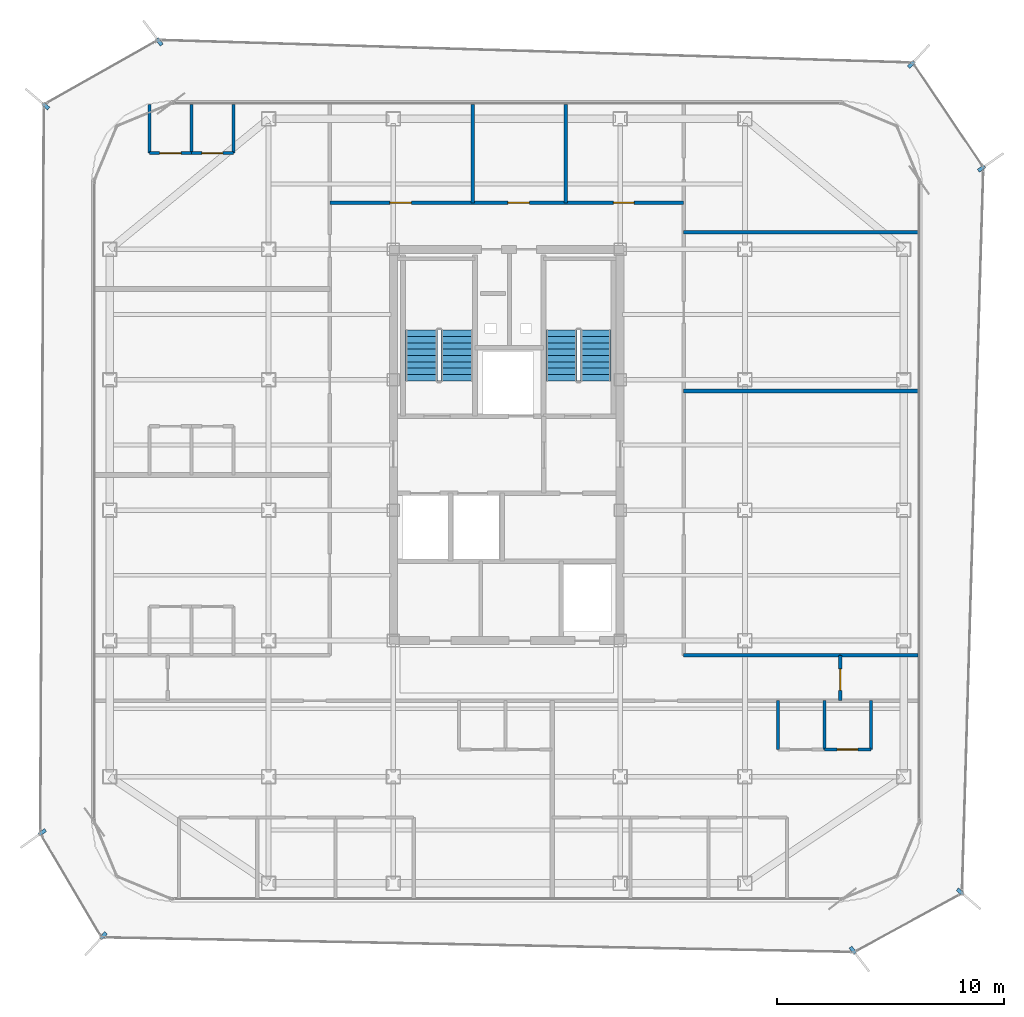
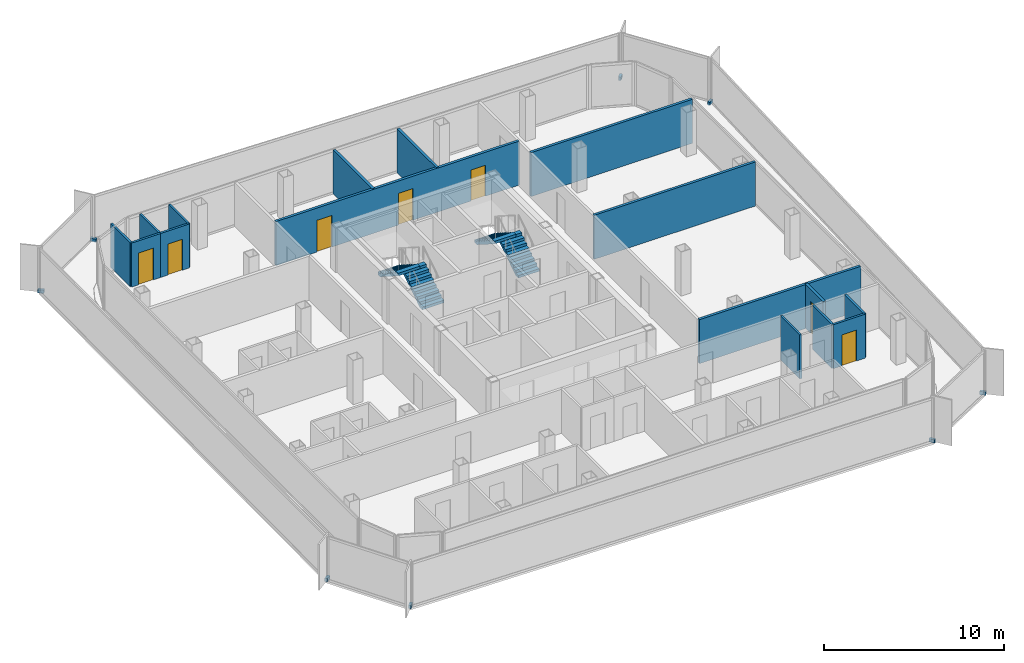
# One storey, part 12 of 15: 17 walls, 8 discrete accessories, 7 doors, 4 stair flights, 7 openings, 2 elements without a shape of their own.
"""IFC4 building model written with IfcOpenShell, lengths in metres."""

import ifcopenshell
import ifcopenshell.guid

model = None  # the IFC model being written
_history = None  # IfcOwnerHistory: only IFC2X3 demands one
_inside = {}  # id of a spatial element -> (the spatial element, [elements in it])
_under = {}  # id of a project, library or spatial element -> (it, [spatial elements below it])
_declared = {}  # id of a project -> (the project, [libraries it declares])
_typed = {}  # id of a type object -> (the type object, [elements of that type])
_made_of = {}  # id of a material, layer set ... -> (it, [elements and type objects made of it])


def new_model(schema):
    """Start an empty IFC model of exactly this schema.

    Asked for "IFC4X3", IfcOpenShell would pick the latest addendum, in which some entities
    have other attributes; the version numbers below select the first issue.
    IFC2X3 requires an IfcOwnerHistory on every rooted entity: one is made here for all.
    """
    global model, _history
    if schema == "IFC4X3":
        model = ifcopenshell.file(schema_version=(4, 3, 0, 0))
    else:
        model = ifcopenshell.file(schema=schema)
    _inside.clear()
    _under.clear()
    _declared.clear()
    _typed.clear()
    _made_of.clear()
    _history = None
    if model.schema == "IFC2X3":
        org = make("IfcOrganization", Name="unknown")
        user = make(
            "IfcPersonAndOrganization",
            ThePerson=make("IfcPerson", FamilyName="unknown"),
            TheOrganization=org,
        )
        app = make(
            "IfcApplication",
            ApplicationDeveloper=org,
            Version="unknown",
            ApplicationFullName="unknown",
            ApplicationIdentifier="unknown",
        )
        _history = make(
            "IfcOwnerHistory",
            OwningUser=user,
            OwningApplication=app,
            ChangeAction="ADDED",
            CreationDate=0,
        )
    return model


def make(cls, **values):
    """One entity of the class cls with the attributes given. An attribute that is None is left unset."""
    return model.create_entity(
        cls, **{name: value for name, value in values.items() if value is not None}
    )


def rooted(cls, **values):
    """An entity with a GlobalId (a new one), such as an element, a storey or a relation."""
    return make(cls, GlobalId=ifcopenshell.guid.new(), OwnerHistory=_history, **values)


def si_unit(unit_type, name, prefix=None):
    """IfcSIUnit, for example si_unit("LENGTHUNIT", "METRE", prefix="MILLI")."""
    return make("IfcSIUnit", UnitType=unit_type, Prefix=prefix, Name=name)


def assignment(units):
    """IfcUnitAssignment: the units of a project."""
    return None if units is None else make("IfcUnitAssignment", Units=units)


def point(xyz):
    """IfcCartesianPoint."""
    return None if xyz is None else make("IfcCartesianPoint", Coordinates=xyz)


def direction(xyz):
    """IfcDirection."""
    return None if xyz is None else make("IfcDirection", DirectionRatios=xyz)


def frame(location, z_axis=None, x_axis=None):
    """IfcAxis2Placement3D, a coordinate frame: its origin and axes. An axis left out is left unset."""
    return make(
        "IfcAxis2Placement3D",
        Location=point(location),
        Axis=direction(z_axis),
        RefDirection=direction(x_axis),
    )


def frame_2d(location, x_axis=None):
    """IfcAxis2Placement2D, a coordinate frame in the plane: its origin and x axis."""
    return make(
        "IfcAxis2Placement2D", Location=point(location), RefDirection=direction(x_axis)
    )


def origin():
    """The frame at (0, 0, 0) with its axes left unset."""
    return frame((0.0, 0.0, 0.0))


def origin_2d():
    """The frame at (0, 0) in the plane with its x axis left unset."""
    return frame_2d((0.0, 0.0))


def place(relative_to, where):
    """IfcLocalPlacement: puts the frame where relative to a parent placement (None: the world)."""
    return make(
        "IfcLocalPlacement", PlacementRelTo=relative_to, RelativePlacement=where
    )


def context(
    kind, dimensions, precision=None, world=None, true_north=None, identifier=None
):
    """IfcGeometricRepresentationContext, for example the 3D "Model" context."""
    return make(
        "IfcGeometricRepresentationContext",
        ContextIdentifier=identifier,
        ContextType=kind,
        CoordinateSpaceDimension=dimensions,
        Precision=precision,
        WorldCoordinateSystem=world,
        TrueNorth=true_north,
    )


def subcontext(parent, identifier, kind, view, scale=None):
    """IfcGeometricRepresentationSubContext, for example "Body" below "Model"."""
    return make(
        "IfcGeometricRepresentationSubContext",
        ContextIdentifier=identifier,
        ContextType=kind,
        ParentContext=parent,
        TargetScale=scale,
        TargetView=view,
    )


def project(units=None, contexts=None):
    """IfcProject with its units and contexts."""
    return rooted(
        "IfcProject",
        Name="project",
        RepresentationContexts=contexts,
        UnitsInContext=assignment(units),
    )


def spatial(cls, under=None, at=None, **own):
    """A site, building, storey or space (cls), placed at a placement, below another one or the project."""
    s = rooted(cls, ObjectPlacement=at, **own)
    if under is not None:
        _under.setdefault(under.id(), (under, []))[1].append(s)
    return s


def polyline(points):
    """IfcPolyline through the points."""
    return make("IfcPolyline", Points=[point(p) for p in points])


def profile(cls, at=None, kind="AREA", **sizes):
    """A parametric profile (cls). Its sizes go by their IFC names, for example OverallWidth=200.0."""
    return make(cls, ProfileType=kind, Position=at, **sizes)


def rectangle(**sizes):
    """IfcRectangleProfileDef."""
    return profile("IfcRectangleProfileDef", **sizes)


def outline(outer, holes=None, kind="AREA"):
    """IfcArbitraryClosedProfileDef: a profile drawn as a closed curve; with holes, ...WithVoids."""
    if holes is None:
        return make("IfcArbitraryClosedProfileDef", ProfileType=kind, OuterCurve=outer)
    return make(
        "IfcArbitraryProfileDefWithVoids",
        ProfileType=kind,
        OuterCurve=outer,
        InnerCurves=holes,
    )


def extrude(swept, where, along, depth):
    """IfcExtrudedAreaSolid: the profile swept, set in the frame where, extruded along a direction by depth."""
    return make(
        "IfcExtrudedAreaSolid",
        SweptArea=swept,
        Position=where,
        ExtrudedDirection=direction(along),
        Depth=depth,
    )


def shape(context_of_items, identifier, shape_type, items):
    """IfcShapeRepresentation: the items that make up one representation, for example the "Body"."""
    return make(
        "IfcShapeRepresentation",
        ContextOfItems=context_of_items,
        RepresentationIdentifier=identifier,
        RepresentationType=shape_type,
        Items=items,
    )


def source(mapping_origin, context_of_items, identifier, shape_type, items):
    """IfcRepresentationMap: a shape defined once, which mapped items show again and again."""
    return make(
        "IfcRepresentationMap",
        MappingOrigin=mapping_origin,
        MappedRepresentation=shape(context_of_items, identifier, shape_type, items),
    )


def transform(
    local_origin,
    x_axis=None,
    y_axis=None,
    z_axis=None,
    scale=None,
    scale2=None,
    scale3=None,
    uniform=True,
):
    """IfcCartesianTransformationOperator3D, or its non-uniform kind. x_axis, y_axis, z_axis: its Axis1, 2, 3."""
    if uniform:
        return make(
            "IfcCartesianTransformationOperator3D",
            Axis1=direction(x_axis),
            Axis2=direction(y_axis),
            LocalOrigin=point(local_origin),
            Scale=scale,
            Axis3=direction(z_axis),
        )
    return make(
        "IfcCartesianTransformationOperator3DnonUniform",
        Axis1=direction(x_axis),
        Axis2=direction(y_axis),
        LocalOrigin=point(local_origin),
        Scale=scale,
        Axis3=direction(z_axis),
        Scale2=scale2,
        Scale3=scale3,
    )


def mapped(mapping_source, mapping_target):
    """IfcMappedItem: shows the shape of a source again, moved by a transform."""
    return make(
        "IfcMappedItem", MappingSource=mapping_source, MappingTarget=mapping_target
    )


def material(Name=None, Category=None):
    """IfcMaterial."""
    return make("IfcMaterial", Name=Name, Category=Category)


def layer(
    of_material, thickness, ventilated=None, Name=None, Category=None, Priority=None
):
    """IfcMaterialLayer: one layer of a wall or slab, of a material (None: an air gap)."""
    return make(
        "IfcMaterialLayer",
        Material=of_material,
        LayerThickness=thickness,
        IsVentilated=ventilated,
        Name=Name,
        Category=Category,
        Priority=Priority,
    )


def layer_set(layers, Name=None):
    """IfcMaterialLayerSet."""
    return make("IfcMaterialLayerSet", MaterialLayers=layers, LayerSetName=Name)


def made_of(thing, what):
    """Note that an element or type object is made of a material, layer set ...; save() writes the relation."""
    if what is not None:
        _made_of.setdefault(what.id(), (what, []))[1].append(thing)
    return thing


def type_object(cls, material=None, **own):
    """A type object (cls), such as IfcWallType, which elements share."""
    return made_of(rooted(cls, **own), material)


def element(
    cls,
    number,
    at=None,
    inside=None,
    cuts=None,
    type_object=None,
    material=None,
    context=None,
    identifier="Body",
    shape_type=None,
    held_by="IfcProductDefinitionShape",
    body=None,
    shapes=None,
    **own,
):
    """One element of the class cls, such as IfcWall. Its Tag is "e" and its number.

    at: its placement. inside: the storey or other place that contains it. cuts: it is an
    opening in that element (IfcRelVoidsElement). A single representation is given by context,
    identifier, shape_type and body (its items); several are given by shapes. held_by: the class
    of the entity that holds the representations. save() writes the other relations.
    """
    e = rooted(cls, Tag="e%d" % number, ObjectPlacement=at, **own)
    if body is not None:
        shapes = [shape(context, identifier, shape_type, body)]
    if shapes is not None:
        e.Representation = make(held_by, Representations=shapes)
    if inside is not None:
        _inside.setdefault(inside.id(), (inside, []))[1].append(e)
    if cuts is not None:
        rooted(
            "IfcRelVoidsElement", RelatingBuildingElement=cuts, RelatedOpeningElement=e
        )
    if type_object is not None:
        _typed.setdefault(type_object.id(), (type_object, []))[1].append(e)
    return made_of(e, material)


def fill(opening, filler):
    """IfcRelFillsElement: the door or window that sits in an opening."""
    return rooted(
        "IfcRelFillsElement",
        RelatingOpeningElement=opening,
        RelatedBuildingElement=filler,
    )


def aggregate(whole, parts):
    """IfcRelAggregates: a whole, such as a stair, and the parts it consists of."""
    return rooted("IfcRelAggregates", RelatingObject=whole, RelatedObjects=parts)


def save(model, path):
    """Write the relations noted so far, then the file.

    IfcRelAggregates (storeys below a building ...), IfcRelContainedInSpatialStructure (elements
    in a storey), IfcRelDefinesByType, IfcRelAssociatesMaterial and IfcRelDeclares: one each for
    every whole, place, type object, material and project.
    """
    for whole, parts in _under.values():
        aggregate(whole, parts)
    for where, things in _inside.values():
        rooted(
            "IfcRelContainedInSpatialStructure",
            RelatedElements=things,
            RelatingStructure=where,
        )
    for kind, things in _typed.values():
        rooted("IfcRelDefinesByType", RelatedObjects=things, RelatingType=kind)
    for what, things in _made_of.values():
        rooted("IfcRelAssociatesMaterial", RelatedObjects=things, RelatingMaterial=what)
    for by, libraries in _declared.values():
        rooted("IfcRelDeclares", RelatingContext=by, RelatedDefinitions=libraries)
    model.write(path)


model = new_model("IFC4")

# Units and contexts
model_context = context("Model", 3, precision=1e-05, world=origin(), true_north=direction((0.0, 1.0)))
body_context = subcontext(model_context, "Body", "Model", "MODEL_VIEW")
ifc_project = project(units=[si_unit("LENGTHUNIT", "METRE"), si_unit("AREAUNIT", "SQUARE_METRE"), si_unit("VOLUMEUNIT", "CUBIC_METRE"), si_unit("PLANEANGLEUNIT", "RADIAN"), si_unit("MASSUNIT", "GRAM", prefix="KILO")], contexts=[model_context])

# Site, building, storey
site_placement = place(None, origin())
site = spatial("IfcSite", under=ifc_project, at=site_placement, CompositionType="ELEMENT")
building_placement = place(site_placement, origin())
building = spatial("IfcBuilding", under=site, at=building_placement, Name="Kolveth Station Tower", CompositionType="ELEMENT")
storey_placement = place(building_placement, frame((0.0, 0.0, 258.5)))
storey = spatial("IfcBuildingStorey", under=building, at=storey_placement, Name="L74", CompositionType="ELEMENT", Elevation=258.5)

# Wall, opening, door
ifc_material_1 = material(Name="Moisture-resistant gypsum partition")
ifc_layer_1 = layer(ifc_material_1, 0.135009765625)
ifc_layer_set_1 = layer_set([ifc_layer_1], Name="Moisture-resistant gypsum partition")
wall_type_1 = type_object("IfcWallType", Name="Wall_IW-135", PredefinedType="PARTITIONING", material=ifc_layer_set_1)
wall_1_placement = place(storey_placement, frame((37.5, 6.699951171875, 0.0), z_axis=(0.0, 0.0, 1.0), x_axis=(1.0, 0.0, 0.0)))
wall_1 = element("IfcWall", 1, at=wall_1_placement, inside=storey, type_object=wall_type_1, Name="L74 Partition Wall WL-L74-A2-IBHB", PredefinedType="PARTITIONING", context=body_context, shape_type="SweptSolid", body=[
    extrude(rectangle(XDim=2.050048828125, YDim=0.135009765625, at=frame_2d((1.02490234375, 0.0))), origin(), (0.0, 0.0, 1.0), 2.97998046875),
])
opening_1_placement = place(wall_1_placement, frame((0.56494140625, 0.0, 0.0)))
opening_1 = element("IfcOpeningElement", 2, at=opening_1_placement, cuts=wall_1, Name="Opening ID2", PredefinedType="OPENING", context=body_context, shape_type="SweptSolid", body=[
    extrude(rectangle(XDim=0.919921875, YDim=2.10009765625, at=frame_2d((0.4599609375, 1.050048828125))), frame((0.0, 0.077392578125, 0.0), z_axis=(0.0, -1.0, 0.0), x_axis=(1.0, 0.0, 0.0)), (0.0, 0.0, 1.0), 0.155029296875),
])
ifc_material_2 = material(Name="Moisture-resistant hardwood leaf", Category="wood")
door_type_1 = type_object("IfcDoorType", Name="Door_ID2", OperationType="NOTDEFINED", PredefinedType="DOOR", material=ifc_material_2)
door_1_placement = place(opening_1_placement, origin())
door_1 = element("IfcDoor", 3, at=door_1_placement, inside=storey, type_object=door_type_1, Name="Penthouse Flat L74-A2 Bathroom Door", OperationType="SINGLE_SWING_LEFT", OverallHeight=2.10009765625, OverallWidth=0.919921875, PredefinedType="DOOR", context=body_context, shape_type="SweptSolid", body=[
    extrude(rectangle(XDim=0.919921875, YDim=2.10009765625, at=frame_2d((0.4599609375, 1.050048828125))), frame((0.0, 0.02490234375, 0.0), z_axis=(0.0, -1.0, 0.0), x_axis=(1.0, 0.0, 0.0)), (0.0, 0.0, 1.0), 0.050048828125),
])
fill(opening_1, door_1)

# Walls
for number, where, z_axis, x_axis, name in (
    (4, (35.449951171875, 6.699951171875, 0.0), (0.0, 0.0, 1.0), (0.0, 1.0, 0.0), "L74 Partition Wall WL-L74-A2-IBV0"),
    (5, (37.5, 6.699951171875, 0.0), (0.0, 0.0, 1.0), (0.0, 1.0, 0.0), "L74 Partition Wall WL-L74-A2-IBV1"),
    (6, (39.550048828125, 6.699951171875, 0.0), (0.0, 0.0, 1.0), (0.0, 1.0, 0.0), "L74 Partition Wall WL-L74-A2-IBV2"),
):
    element("IfcWall", number, at=place(storey_placement, frame(where, z_axis=z_axis, x_axis=x_axis)), inside=storey, type_object=wall_type_1, Name=name, PredefinedType="PARTITIONING", context=body_context, shape_type="SweptSolid", body=[
        extrude(rectangle(XDim=2.150146484375, YDim=0.135009765625, at=frame_2d((1.0751953125, 0.0))), origin(), (0.0, 0.0, 1.0), 2.97998046875),
    ])

# Wall, opening, door
wall_2_placement = place(storey_placement, frame((7.75, 32.989990234375, 0.0), z_axis=(0.0, 0.0, 1.0), x_axis=(1.0, 0.0, 0.0)))
wall_2 = element("IfcWall", 7, at=wall_2_placement, inside=storey, type_object=wall_type_1, Name="L74 Partition Wall WL-L74-W3-IBHK", PredefinedType="PARTITIONING", context=body_context, shape_type="SweptSolid", body=[
    extrude(rectangle(XDim=1.85009765625, YDim=0.135009765625, at=frame_2d((0.925048828125, 0.0))), origin(), (0.0, 0.0, 1.0), 2.97998046875),
])
opening_2_placement = place(wall_2_placement, frame((0.445068359375, 0.0, 0.0)))
opening_2 = element("IfcOpeningElement", 8, at=opening_2_placement, cuts=wall_2, Name="Opening ID1", PredefinedType="OPENING", context=body_context, shape_type="SweptSolid", body=[
    extrude(rectangle(XDim=0.949951171875, YDim=2.14990234375, at=frame_2d((0.47509765625, 1.074951171875))), frame((0.0, 0.077392578125, 0.0), z_axis=(0.0, -1.0, 0.0), x_axis=(1.0, 0.0, 0.0)), (0.0, 0.0, 1.0), 0.155029296875),
])
ifc_material_3 = material(Name="Acoustic hardwood leaf and aluminium frame", Category="wood")
door_type_2 = type_object("IfcDoorType", Name="Door_ID1", OperationType="NOTDEFINED", PredefinedType="DOOR", material=ifc_material_3)
door_2_placement = place(opening_2_placement, frame((0.949951171875, 0.0, 0.0), z_axis=(0.0, 0.0, 1.0), x_axis=(-1.0, 0.0, 0.0)))
door_2 = element("IfcDoor", 9, at=door_2_placement, inside=storey, type_object=door_type_2, Name="Flat L74-W3 Kitchen Door", OperationType="SINGLE_SWING_RIGHT", OverallHeight=2.14990234375, OverallWidth=0.949951171875, PredefinedType="DOOR", context=body_context, shape_type="SweptSolid", body=[
    extrude(rectangle(XDim=0.949951171875, YDim=2.14990234375, at=frame_2d((0.47509765625, 1.074951171875))), frame((0.0, 0.02490234375, 0.0), z_axis=(0.0, -1.0, 0.0), x_axis=(1.0, 0.0, 0.0)), (0.0, 0.0, 1.0), 0.050048828125),
])
fill(opening_2, door_2)

wall_3_placement = place(storey_placement, frame((9.60009765625, 32.989990234375, 0.0), z_axis=(0.0, 0.0, 1.0), x_axis=(1.0, 0.0, 0.0)))
wall_3 = element("IfcWall", 10, at=wall_3_placement, inside=storey, type_object=wall_type_1, Name="L74 Partition Wall WL-L74-W3-IBHB", PredefinedType="PARTITIONING", context=body_context, shape_type="SweptSolid", body=[
    extrude(rectangle(XDim=1.849853515625, YDim=0.135009765625, at=frame_2d((0.9248046875, 0.0))), origin(), (0.0, 0.0, 1.0), 2.97998046875),
])
opening_3_placement = place(wall_3_placement, frame((0.465087890625, 0.0, 0.0)))
opening_3 = element("IfcOpeningElement", 11, at=opening_3_placement, cuts=wall_3, Name="Opening ID2", PredefinedType="OPENING", context=body_context, shape_type="SweptSolid", body=[
    extrude(rectangle(XDim=0.919921875, YDim=2.10009765625, at=frame_2d((0.4599609375, 1.050048828125))), frame((0.0, 0.077392578125, 0.0), z_axis=(0.0, -1.0, 0.0), x_axis=(1.0, 0.0, 0.0)), (0.0, 0.0, 1.0), 0.155029296875),
])
door_3_placement = place(opening_3_placement, frame((0.919921875, 0.0, 0.0), z_axis=(0.0, 0.0, 1.0), x_axis=(-1.0, 0.0, 0.0)))
door_3 = element("IfcDoor", 12, at=door_3_placement, inside=storey, type_object=door_type_1, Name="Flat L74-W3 Bathroom Door", OperationType="SINGLE_SWING_LEFT", OverallHeight=2.10009765625, OverallWidth=0.919921875, PredefinedType="DOOR", context=body_context, shape_type="SweptSolid", body=[
    extrude(rectangle(XDim=0.919921875, YDim=2.10009765625, at=frame_2d((0.4599609375, 1.050048828125))), frame((0.0, 0.02490234375, 0.0), z_axis=(0.0, -1.0, 0.0), x_axis=(1.0, 0.0, 0.0)), (0.0, 0.0, 1.0), 0.050048828125),
])
fill(opening_3, door_3)

# Walls
for number, where, z_axis, x_axis, name in (
    (13, (7.75, 32.989990234375, 0.0), (0.0, 0.0, 1.0), (0.0, 1.0, 0.0), "L74 Partition Wall WL-L74-W3-IBV0"),
    (14, (9.60009765625, 32.989990234375, 0.0), (0.0, 0.0, 1.0), (0.0, 1.0, 0.0), "L74 Partition Wall WL-L74-W3-IBV1"),
    (15, (11.449951171875, 32.989990234375, 0.0), (0.0, 0.0, 1.0), (0.0, 1.0, 0.0), "L74 Partition Wall WL-L74-W3-IBV2"),
):
    element("IfcWall", number, at=place(storey_placement, frame(where, z_axis=z_axis, x_axis=x_axis)), inside=storey, type_object=wall_type_1, Name=name, PredefinedType="PARTITIONING", context=body_context, shape_type="SweptSolid", body=[
        extrude(rectangle(XDim=2.14990234375, YDim=0.135009765625, at=frame_2d((1.074951171875, 0.0))), origin(), (0.0, 0.0, 1.0), 2.97998046875),
    ])
ifc_material_4 = material(Name="Acoustic double-stud gypsum partition")
ifc_layer_2 = layer(ifc_material_4, 0.1650390625)
ifc_layer_set_2 = layer_set([ifc_layer_2], Name="Acoustic double-stud gypsum partition")
wall_type_2 = type_object("IfcWallType", Name="Wall_IW-165", PredefinedType="PARTITIONING", material=ifc_layer_set_2)
wall_4_placement = place(storey_placement, frame((31.300048828125, 10.85009765625, 0.0), z_axis=(0.0, 0.0, 1.0), x_axis=(1.0, 0.0, 0.0)))
element("IfcWall", 16, at=wall_4_placement, inside=storey, type_object=wall_type_2, Name="L74 Partition Wall WL-L74-RSET", PredefinedType="PARTITIONING", context=body_context, shape_type="SweptSolid", body=[
    extrude(rectangle(XDim=6.89990234375, YDim=0.1650390625, at=frame_2d((3.449951171875, 0.0))), origin(), (0.0, 0.0, 1.0), 2.97998046875),
])

# Wall, opening, door
wall_5_placement = place(storey_placement, frame((38.199951171875, 8.85009765625, 0.0), z_axis=(0.0, 0.0, 1.0), x_axis=(0.0, 1.0, 0.0)))
wall_5 = element("IfcWall", 17, at=wall_5_placement, inside=storey, type_object=wall_type_2, Name="L74 Partition Wall WL-L74-RSEE", PredefinedType="PARTITIONING", context=body_context, shape_type="SweptSolid", body=[
    extrude(rectangle(XDim=2.0, YDim=0.1650390625, at=frame_2d((1.0, 0.0))), origin(), (0.0, 0.0, 1.0), 2.97998046875),
])
opening_4_placement = place(wall_5_placement, frame((0.449951171875, 0.0, 0.0)))
opening_4 = element("IfcOpeningElement", 18, at=opening_4_placement, cuts=wall_5, Name="Opening ID1", PredefinedType="OPENING", context=body_context, shape_type="SweptSolid", body=[
    extrude(rectangle(XDim=0.949951171875, YDim=2.14990234375, at=frame_2d((0.47509765625, 1.074951171875))), frame((0.0, 0.092529296875, 0.0), z_axis=(0.0, -1.0, 0.0), x_axis=(1.0, 0.0, 0.0)), (0.0, 0.0, 1.0), 0.18505859375),
])
door_4_placement = place(opening_4_placement, origin())
door_4 = element("IfcDoor", 19, at=door_4_placement, inside=storey, type_object=door_type_2, Name="L74 Hobby Study Door", OperationType="SINGLE_SWING_LEFT", OverallHeight=2.14990234375, OverallWidth=0.949951171875, PredefinedType="DOOR", context=body_context, shape_type="SweptSolid", body=[
    extrude(rectangle(XDim=0.949951171875, YDim=2.14990234375, at=frame_2d((0.47509765625, 1.074951171875))), frame((0.0, 0.02490234375, 0.0), z_axis=(0.0, -1.0, 0.0), x_axis=(1.0, 0.0, 0.0)), (0.0, 0.0, 1.0), 0.050048828125),
])
fill(opening_4, door_4)

# Wall, openings, doors
wall_6_placement = place(storey_placement, frame((15.699951171875, 30.800048828125, 0.0), z_axis=(0.0, 0.0, 1.0), x_axis=(1.0, 0.0, 0.0)))
wall_6 = element("IfcWall", 20, at=wall_6_placement, inside=storey, type_object=wall_type_2, Name="L74 Partition Wall WL-L74-RN", PredefinedType="PARTITIONING", context=body_context, shape_type="SweptSolid", body=[
    extrude(rectangle(XDim=15.60009765625, YDim=0.1650390625, at=frame_2d((7.800048828125, 0.0))), origin(), (0.0, 0.0, 1.0), 2.97998046875),
])
opening_5_placement = place(wall_6_placement, frame((2.64990234375, 0.0, 0.0)))
opening_5 = element("IfcOpeningElement", 21, at=opening_5_placement, cuts=wall_6, Name="Opening ID1", PredefinedType="OPENING", context=body_context, shape_type="SweptSolid", body=[
    extrude(rectangle(XDim=0.949951171875, YDim=2.14990234375, at=frame_2d((0.47509765625, 1.074951171875))), frame((0.0, 0.092529296875, 0.0), z_axis=(0.0, -1.0, 0.0), x_axis=(1.0, 0.0, 0.0)), (0.0, 0.0, 1.0), 0.18505859375),
])
opening_6_placement = place(wall_6_placement, frame((7.85009765625, 0.0, 0.0)))
opening_6 = element("IfcOpeningElement", 22, at=opening_6_placement, cuts=wall_6, Name="Opening ID1", PredefinedType="OPENING", context=body_context, shape_type="SweptSolid", body=[
    extrude(rectangle(XDim=0.949951171875, YDim=2.14990234375, at=frame_2d((0.47509765625, 1.074951171875))), frame((0.0, 0.092529296875, 0.0), z_axis=(0.0, -1.0, 0.0), x_axis=(1.0, 0.0, 0.0)), (0.0, 0.0, 1.0), 0.18505859375),
])
opening_7_placement = place(wall_6_placement, frame((12.5, 0.0, 0.0)))
opening_7 = element("IfcOpeningElement", 23, at=opening_7_placement, cuts=wall_6, Name="Opening ID2", PredefinedType="OPENING", context=body_context, shape_type="SweptSolid", body=[
    extrude(rectangle(XDim=0.919921875, YDim=2.10009765625, at=frame_2d((0.4599609375, 1.050048828125))), frame((0.0, 0.092529296875, 0.0), z_axis=(0.0, -1.0, 0.0), x_axis=(1.0, 0.0, 0.0)), (0.0, 0.0, 1.0), 0.18505859375),
])
door_5_placement = place(opening_5_placement, origin())
door_5 = element("IfcDoor", 24, at=door_5_placement, inside=storey, type_object=door_type_2, Name="L74 Residents' Study Lounge Door", OperationType="SINGLE_SWING_RIGHT", OverallHeight=2.14990234375, OverallWidth=0.949951171875, PredefinedType="DOOR", context=body_context, shape_type="SweptSolid", body=[
    extrude(rectangle(XDim=0.949951171875, YDim=2.14990234375, at=frame_2d((0.47509765625, 1.074951171875))), frame((0.0, 0.02490234375, 0.0), z_axis=(0.0, -1.0, 0.0), x_axis=(1.0, 0.0, 0.0)), (0.0, 0.0, 1.0), 0.050048828125),
])
fill(opening_5, door_5)
door_6_placement = place(opening_6_placement, origin())
door_6 = element("IfcDoor", 25, at=door_6_placement, inside=storey, type_object=door_type_2, Name="L74 Residents' Linen Store Door", OperationType="SINGLE_SWING_LEFT", OverallHeight=2.14990234375, OverallWidth=0.949951171875, PredefinedType="DOOR", context=body_context, shape_type="SweptSolid", body=[
    extrude(rectangle(XDim=0.949951171875, YDim=2.14990234375, at=frame_2d((0.47509765625, 1.074951171875))), frame((0.0, 0.02490234375, 0.0), z_axis=(0.0, -1.0, 0.0), x_axis=(1.0, 0.0, 0.0)), (0.0, 0.0, 1.0), 0.050048828125),
])
fill(opening_6, door_6)
door_7_placement = place(opening_7_placement, origin())
door_7 = element("IfcDoor", 26, at=door_7_placement, inside=storey, type_object=door_type_1, Name="L74 Accessible Residents' WC Door", OperationType="SINGLE_SWING_RIGHT", OverallHeight=2.10009765625, OverallWidth=0.919921875, PredefinedType="DOOR", context=body_context, shape_type="SweptSolid", body=[
    extrude(rectangle(XDim=0.919921875, YDim=2.10009765625, at=frame_2d((0.4599609375, 1.050048828125))), frame((0.0, 0.02490234375, 0.0), z_axis=(0.0, -1.0, 0.0), x_axis=(1.0, 0.0, 0.0)), (0.0, 0.0, 1.0), 0.050048828125),
])
fill(opening_7, door_7)

# Walls
wall_7_placement = place(storey_placement, frame((38.199951171875, 10.85009765625, 0.0), z_axis=(0.0, 0.0, 1.0), x_axis=(1.0, 0.0, 0.0)))
element("IfcWall", 27, at=wall_7_placement, inside=storey, type_object=wall_type_2, Name="L74 Partition Wall WL-L74-ESTN", PredefinedType="PARTITIONING", context=body_context, shape_type="SweptSolid", body=[
    extrude(rectangle(XDim=3.43994140625, YDim=0.1650390625, at=frame_2d((1.719970703125, 0.0))), origin(), (0.0, 0.0, 1.0), 2.97998046875),
])
for number, where, z_axis, x_axis, name in (
    (28, (31.300048828125, 22.5, 0.0), (0.0, 0.0, 1.0), (1.0, 0.0, 0.0), "L74 Partition Wall WL-L74-REA-P1"),
    (29, (31.300048828125, 29.5, 0.0), (0.0, 0.0, 1.0), (1.0, 0.0, 0.0), "L74 Partition Wall WL-L74-REA-P2"),
):
    element("IfcWall", number, at=place(storey_placement, frame(where, z_axis=z_axis, x_axis=x_axis)), inside=storey, type_object=wall_type_2, Name=name, PredefinedType="PARTITIONING", context=body_context, shape_type="SweptSolid", body=[
        extrude(rectangle(XDim=10.33984375, YDim=0.1650390625, at=frame_2d((5.169921875, 0.0))), origin(), (0.0, 0.0, 1.0), 2.97998046875),
    ])
for number, where, z_axis, x_axis, name in (
    (30, (22.0, 30.800048828125, 0.0), (0.0, 0.0, 1.0), (0.0, 1.0, 0.0), "L74 Partition Wall WL-L74-RN-P1"),
    (31, (26.10009765625, 30.800048828125, 0.0), (0.0, 0.0, 1.0), (0.0, 1.0, 0.0), "L74 Partition Wall WL-L74-RN-P2"),
):
    element("IfcWall", number, at=place(storey_placement, frame(where, z_axis=z_axis, x_axis=x_axis)), inside=storey, type_object=wall_type_2, Name=name, PredefinedType="PARTITIONING", context=body_context, shape_type="SweptSolid", body=[
        extrude(rectangle(XDim=4.33984375, YDim=0.1650390625, at=frame_2d((2.169921875, 0.0))), origin(), (0.0, 0.0, 1.0), 2.97998046875),
    ])

# Stair, stair flights
ifc_material_5 = material(Name="Concrete C40/50", Category="concrete")
stair_type_1 = type_object("IfcStairType", Name="Stair_ST1", PredefinedType="HALF_TURN_STAIR", material=ifc_material_5)
stair_1_placement = place(storey_placement, origin())
stair_1 = element("IfcStair", 32, at=stair_1_placement, inside=storey, type_object=stair_type_1, Name="L74 Tower Exit Stair ST1", PredefinedType="HALF_TURN_STAIR")
ifc_layer_3 = layer(ifc_material_5, 0.179931640625)
ifc_layer_set_3 = layer_set([ifc_layer_3], Name="Concrete C40/50")
stair_flight_type_1 = type_object("IfcStairFlightType", Name="Flight_ST1", PredefinedType="STRAIGHT", material=ifc_layer_set_3)
stair_flight_1_placement = place(storey_placement, frame((21.300048828125, 22.949951171875, 0.0), z_axis=(0.0, 0.0, 1.0), x_axis=(0.0, 1.0, 0.0)))
stair_flight_1 = element("IfcStairFlight", 33, at=stair_flight_1_placement, type_object=stair_flight_type_1, Name="ST1 flight 1", NumberOfRisers=9, NumberOfTreads=8, PredefinedType="STRAIGHT", RiserHeight=0.177777778, TreadLength=0.28, context=body_context, shape_type="SweptSolid", body=[
    extrude(outline(polyline([(0.0, 0.0), (0.0, 0.177734375), (0.280029296875, 0.177734375), (0.280029296875, 0.35546875), (0.56005859375, 0.35546875), (0.56005859375, 0.533447265625), (0.840087890625, 0.533447265625), (0.840087890625, 0.711181640625), (1.1201171875, 0.711181640625), (1.1201171875, 0.888916015625), (1.39990234375, 0.888916015625), (1.39990234375, 1.066650390625), (1.679931640625, 1.066650390625), (1.679931640625, 1.244384765625), (1.9599609375, 1.244384765625), (1.9599609375, 1.422119140625), (2.239990234375, 1.422119140625), (2.239990234375, 1.60009765625), (2.239990234375, 1.24462890625), (0.27978515625, 0.0), (0.0, 0.0)])), frame((0.0, 0.699951171875, 0.0), z_axis=(0.0, -1.0, 0.0), x_axis=(1.0, 0.0, 0.0)), (0.0, 0.0, 1.0), 1.39990234375),
])
stair_flight_2_placement = place(storey_placement, frame((19.739990234375, 25.18994140625, 1.60009765625), z_axis=(0.0, 0.0, 1.0), x_axis=(0.0, -1.0, 0.0)))
stair_flight_2 = element("IfcStairFlight", 34, at=stair_flight_2_placement, type_object=stair_flight_type_1, Name="ST1 flight 2", NumberOfRisers=9, NumberOfTreads=8, PredefinedType="STRAIGHT", RiserHeight=0.177777778, TreadLength=0.28, context=body_context, shape_type="SweptSolid", body=[
    extrude(outline(polyline([(0.0, 0.0), (0.0, 0.177734375), (0.280029296875, 0.177734375), (0.280029296875, 0.35546875), (0.56005859375, 0.35546875), (0.56005859375, 0.533447265625), (0.840087890625, 0.533447265625), (0.840087890625, 0.711181640625), (1.1201171875, 0.711181640625), (1.1201171875, 0.888916015625), (1.39990234375, 0.888916015625), (1.39990234375, 1.066650390625), (1.679931640625, 1.066650390625), (1.679931640625, 1.244384765625), (1.9599609375, 1.244384765625), (1.9599609375, 1.422119140625), (2.239990234375, 1.422119140625), (2.239990234375, 1.60009765625), (2.239990234375, 1.24462890625), (0.27978515625, 0.0), (0.0, 0.0)])), frame((0.0, 0.699951171875, 0.0), z_axis=(0.0, -1.0, 0.0), x_axis=(1.0, 0.0, 0.0)), (0.0, 0.0, 1.0), 1.39990234375),
])
aggregate(stair_1, [stair_flight_1, stair_flight_2])

stair_type_2 = type_object("IfcStairType", Name="Stair_ST2", PredefinedType="HALF_TURN_STAIR", material=ifc_material_5)
stair_2_placement = place(storey_placement, origin())
stair_2 = element("IfcStair", 35, at=stair_2_placement, inside=storey, type_object=stair_type_2, Name="L74 Tower Exit Stair ST2", PredefinedType="HALF_TURN_STAIR")
ifc_layer_4 = layer(ifc_material_5, 0.179931640625)
ifc_layer_set_4 = layer_set([ifc_layer_4], Name="Concrete C40/50")
stair_flight_type_2 = type_object("IfcStairFlightType", Name="Flight_ST2", PredefinedType="STRAIGHT", material=ifc_layer_set_4)
stair_flight_3_placement = place(storey_placement, frame((27.425048828125, 22.949951171875, 0.0), z_axis=(0.0, 0.0, 1.0), x_axis=(0.0, 1.0, 0.0)))
stair_flight_3 = element("IfcStairFlight", 36, at=stair_flight_3_placement, type_object=stair_flight_type_2, Name="ST2 flight 1", NumberOfRisers=9, NumberOfTreads=8, PredefinedType="STRAIGHT", RiserHeight=0.177777778, TreadLength=0.28, context=body_context, shape_type="SweptSolid", body=[
    extrude(outline(polyline([(0.0, 0.0), (0.0, 0.177734375), (0.280029296875, 0.177734375), (0.280029296875, 0.35546875), (0.56005859375, 0.35546875), (0.56005859375, 0.533447265625), (0.840087890625, 0.533447265625), (0.840087890625, 0.711181640625), (1.1201171875, 0.711181640625), (1.1201171875, 0.888916015625), (1.39990234375, 0.888916015625), (1.39990234375, 1.066650390625), (1.679931640625, 1.066650390625), (1.679931640625, 1.244384765625), (1.9599609375, 1.244384765625), (1.9599609375, 1.422119140625), (2.239990234375, 1.422119140625), (2.239990234375, 1.60009765625), (2.239990234375, 1.24462890625), (0.27978515625, 0.0), (0.0, 0.0)])), frame((0.0, 0.675048828125, 0.0), z_axis=(0.0, -1.0, 0.0), x_axis=(1.0, 0.0, 0.0)), (0.0, 0.0, 1.0), 1.35009765625),
])
stair_flight_4_placement = place(storey_placement, frame((25.9150390625, 25.18994140625, 1.60009765625), z_axis=(0.0, 0.0, 1.0), x_axis=(0.0, -1.0, 0.0)))
stair_flight_4 = element("IfcStairFlight", 37, at=stair_flight_4_placement, type_object=stair_flight_type_2, Name="ST2 flight 2", NumberOfRisers=9, NumberOfTreads=8, PredefinedType="STRAIGHT", RiserHeight=0.177777778, TreadLength=0.28, context=body_context, shape_type="SweptSolid", body=[
    extrude(outline(polyline([(0.0, 0.0), (0.0, 0.177734375), (0.280029296875, 0.177734375), (0.280029296875, 0.35546875), (0.56005859375, 0.35546875), (0.56005859375, 0.533447265625), (0.840087890625, 0.533447265625), (0.840087890625, 0.711181640625), (1.1201171875, 0.711181640625), (1.1201171875, 0.888916015625), (1.39990234375, 0.888916015625), (1.39990234375, 1.066650390625), (1.679931640625, 1.066650390625), (1.679931640625, 1.244384765625), (1.9599609375, 1.244384765625), (1.9599609375, 1.422119140625), (2.239990234375, 1.422119140625), (2.239990234375, 1.60009765625), (2.239990234375, 1.24462890625), (0.27978515625, 0.0), (0.0, 0.0)])), frame((0.0, 0.675048828125, 0.0), z_axis=(0.0, -1.0, 0.0), x_axis=(1.0, 0.0, 0.0)), (0.0, 0.0, 1.0), 1.35009765625),
])
aggregate(stair_2, [stair_flight_3, stair_flight_4])

# Discrete accessories
ifc_material_6 = material(Name="Steel S355", Category="steel")
discrete_accessory_type = type_object("IfcDiscreteAccessoryType", Name="Bracket_BK1", PredefinedType="BRACKET", material=ifc_material_6)
shared_shape = source(origin(), body_context, "Body", "SweptSolid", [
    extrude(rectangle(XDim=0.35009765625, YDim=0.159912109375, at=origin_2d()), origin(), (0.0, 0.0, 1.0), 0.219970703125),
])
for number, where, z_axis, x_axis, name in (
    (38, (38.760986328125, -2.154052734375, -0.06005859375), (0.0, 0.0, 1.0), (0.610421687982, -0.79207661425, 0.0), "L74 Double-Skin Radial Tie Bracket 1"),
    (39, (43.4970703125, 0.424072265625, -0.06005859375), (0.0, 0.0, 1.0), (0.757678900914, -0.652627522489, 0.0), "L74 Double-Skin Radial Tie Bracket 2"),
    (40, (44.43310546875, 32.31005859375, -0.06005859375), (0.0, 0.0, 1.0), (0.819152044289, 0.573576436351, 0.0), "L74 Double-Skin Radial Tie Bracket 3"),
    (41, (41.3359375, 36.903076171875, -0.06005859375), (0.0, 0.0, 1.0), (0.679569353932, 0.73361126845, 0.0), "L74 Double-Skin Radial Tie Bracket 4"),
    (42, (8.18408203125, 37.89404296875, -0.06005859375), (0.0, 0.0, 1.0), (-0.603347183213, 0.797478637023, 0.0), "L74 Double-Skin Radial Tie Bracket 5"),
    (43, (3.175048828125, 35.06396484375, -0.06005859375), (0.0, 0.0, 1.0), (-0.759384877298, 0.650641689512, 0.0), "L74 Double-Skin Radial Tie Bracket 6"),
    (44, (3.02490234375, 3.048095703125, -0.06005859375), (0.0, 0.0, 1.0), (-0.814216857742, -0.580560856904, 0.0), "L74 Double-Skin Radial Tie Bracket 7"),
    (45, (5.715087890625, -1.513916015625, -0.06005859375), (0.0, 0.0, 1.0), (-0.680209291693, -0.733017953051, 0.0), "L74 Double-Skin Radial Tie Bracket 8"),
):
    element("IfcDiscreteAccessory", number, at=place(storey_placement, frame(where, z_axis=z_axis, x_axis=x_axis)), inside=storey, type_object=discrete_accessory_type, Name=name, PredefinedType="BRACKET", context=body_context, shape_type="MappedRepresentation", body=[
        mapped(shared_shape, transform((0.0, 0.0, 0.0), x_axis=(1.0, 0.0, 0.0), y_axis=(0.0, 1.0, 0.0), z_axis=(0.0, 0.0, 1.0), scale=1.0)),
    ])

save(model, "model.ifc")
